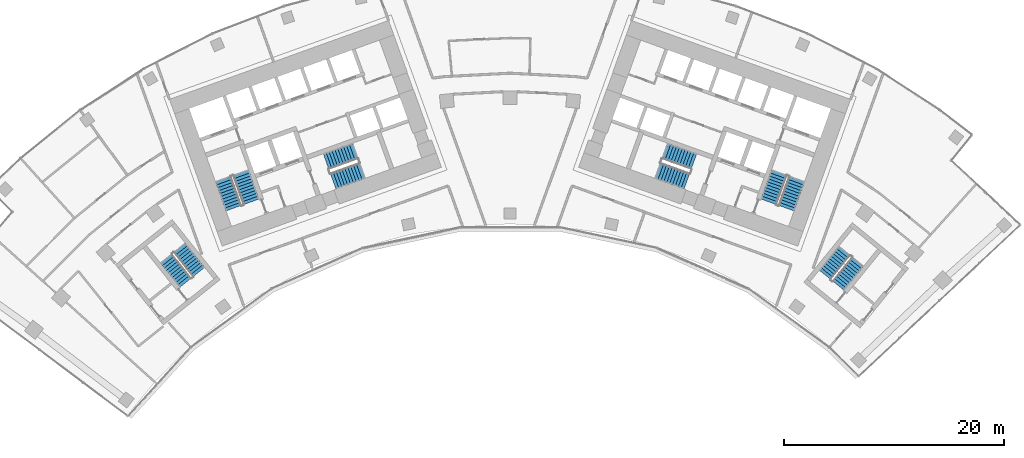
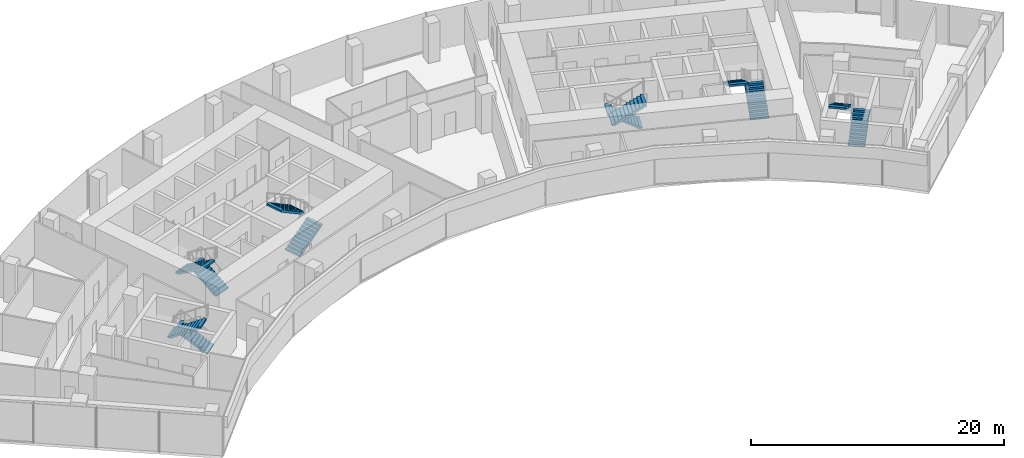
# One storey, part 18 of 20: 12 stair flights, 6 elements without a shape of their own.
"""IFC4 building model written with IfcOpenShell, lengths in metres."""

import ifcopenshell
import ifcopenshell.guid

model = None  # the IFC model being written
_history = None  # IfcOwnerHistory: only IFC2X3 demands one
_inside = {}  # id of a spatial element -> (the spatial element, [elements in it])
_under = {}  # id of a project, library or spatial element -> (it, [spatial elements below it])
_declared = {}  # id of a project -> (the project, [libraries it declares])
_typed = {}  # id of a type object -> (the type object, [elements of that type])
_made_of = {}  # id of a material, layer set ... -> (it, [elements and type objects made of it])


def new_model(schema):
    """Start an empty IFC model of exactly this schema.

    Asked for "IFC4X3", IfcOpenShell would pick the latest addendum, in which some entities
    have other attributes; the version numbers below select the first issue.
    IFC2X3 requires an IfcOwnerHistory on every rooted entity: one is made here for all.
    """
    global model, _history
    if schema == "IFC4X3":
        model = ifcopenshell.file(schema_version=(4, 3, 0, 0))
    else:
        model = ifcopenshell.file(schema=schema)
    _inside.clear()
    _under.clear()
    _declared.clear()
    _typed.clear()
    _made_of.clear()
    _history = None
    if model.schema == "IFC2X3":
        org = make("IfcOrganization", Name="unknown")
        user = make(
            "IfcPersonAndOrganization",
            ThePerson=make("IfcPerson", FamilyName="unknown"),
            TheOrganization=org,
        )
        app = make(
            "IfcApplication",
            ApplicationDeveloper=org,
            Version="unknown",
            ApplicationFullName="unknown",
            ApplicationIdentifier="unknown",
        )
        _history = make(
            "IfcOwnerHistory",
            OwningUser=user,
            OwningApplication=app,
            ChangeAction="ADDED",
            CreationDate=0,
        )
    return model


def make(cls, **values):
    """One entity of the class cls with the attributes given. An attribute that is None is left unset."""
    return model.create_entity(
        cls, **{name: value for name, value in values.items() if value is not None}
    )


def rooted(cls, **values):
    """An entity with a GlobalId (a new one), such as an element, a storey or a relation."""
    return make(cls, GlobalId=ifcopenshell.guid.new(), OwnerHistory=_history, **values)


def si_unit(unit_type, name, prefix=None):
    """IfcSIUnit, for example si_unit("LENGTHUNIT", "METRE", prefix="MILLI")."""
    return make("IfcSIUnit", UnitType=unit_type, Prefix=prefix, Name=name)


def assignment(units):
    """IfcUnitAssignment: the units of a project."""
    return None if units is None else make("IfcUnitAssignment", Units=units)


def point(xyz):
    """IfcCartesianPoint."""
    return None if xyz is None else make("IfcCartesianPoint", Coordinates=xyz)


def direction(xyz):
    """IfcDirection."""
    return None if xyz is None else make("IfcDirection", DirectionRatios=xyz)


def frame(location, z_axis=None, x_axis=None):
    """IfcAxis2Placement3D, a coordinate frame: its origin and axes. An axis left out is left unset."""
    return make(
        "IfcAxis2Placement3D",
        Location=point(location),
        Axis=direction(z_axis),
        RefDirection=direction(x_axis),
    )


def origin():
    """The frame at (0, 0, 0) with its axes left unset."""
    return frame((0.0, 0.0, 0.0))


def place(relative_to, where):
    """IfcLocalPlacement: puts the frame where relative to a parent placement (None: the world)."""
    return make(
        "IfcLocalPlacement", PlacementRelTo=relative_to, RelativePlacement=where
    )


def context(
    kind, dimensions, precision=None, world=None, true_north=None, identifier=None
):
    """IfcGeometricRepresentationContext, for example the 3D "Model" context."""
    return make(
        "IfcGeometricRepresentationContext",
        ContextIdentifier=identifier,
        ContextType=kind,
        CoordinateSpaceDimension=dimensions,
        Precision=precision,
        WorldCoordinateSystem=world,
        TrueNorth=true_north,
    )


def subcontext(parent, identifier, kind, view, scale=None):
    """IfcGeometricRepresentationSubContext, for example "Body" below "Model"."""
    return make(
        "IfcGeometricRepresentationSubContext",
        ContextIdentifier=identifier,
        ContextType=kind,
        ParentContext=parent,
        TargetScale=scale,
        TargetView=view,
    )


def project(units=None, contexts=None):
    """IfcProject with its units and contexts."""
    return rooted(
        "IfcProject",
        Name="project",
        RepresentationContexts=contexts,
        UnitsInContext=assignment(units),
    )


def spatial(cls, under=None, at=None, **own):
    """A site, building, storey or space (cls), placed at a placement, below another one or the project."""
    s = rooted(cls, ObjectPlacement=at, **own)
    if under is not None:
        _under.setdefault(under.id(), (under, []))[1].append(s)
    return s


def polyline(points):
    """IfcPolyline through the points."""
    return make("IfcPolyline", Points=[point(p) for p in points])


def outline(outer, holes=None, kind="AREA"):
    """IfcArbitraryClosedProfileDef: a profile drawn as a closed curve; with holes, ...WithVoids."""
    if holes is None:
        return make("IfcArbitraryClosedProfileDef", ProfileType=kind, OuterCurve=outer)
    return make(
        "IfcArbitraryProfileDefWithVoids",
        ProfileType=kind,
        OuterCurve=outer,
        InnerCurves=holes,
    )


def extrude(swept, where, along, depth):
    """IfcExtrudedAreaSolid: the profile swept, set in the frame where, extruded along a direction by depth."""
    return make(
        "IfcExtrudedAreaSolid",
        SweptArea=swept,
        Position=where,
        ExtrudedDirection=direction(along),
        Depth=depth,
    )


def shape(context_of_items, identifier, shape_type, items):
    """IfcShapeRepresentation: the items that make up one representation, for example the "Body"."""
    return make(
        "IfcShapeRepresentation",
        ContextOfItems=context_of_items,
        RepresentationIdentifier=identifier,
        RepresentationType=shape_type,
        Items=items,
    )


def material(Name=None, Category=None):
    """IfcMaterial."""
    return make("IfcMaterial", Name=Name, Category=Category)


def made_of(thing, what):
    """Note that an element or type object is made of a material, layer set ...; save() writes the relation."""
    if what is not None:
        _made_of.setdefault(what.id(), (what, []))[1].append(thing)
    return thing


def type_object(cls, material=None, **own):
    """A type object (cls), such as IfcWallType, which elements share."""
    return made_of(rooted(cls, **own), material)


def element(
    cls,
    number,
    at=None,
    inside=None,
    cuts=None,
    type_object=None,
    material=None,
    context=None,
    identifier="Body",
    shape_type=None,
    held_by="IfcProductDefinitionShape",
    body=None,
    shapes=None,
    **own,
):
    """One element of the class cls, such as IfcWall. Its Tag is "e" and its number.

    at: its placement. inside: the storey or other place that contains it. cuts: it is an
    opening in that element (IfcRelVoidsElement). A single representation is given by context,
    identifier, shape_type and body (its items); several are given by shapes. held_by: the class
    of the entity that holds the representations. save() writes the other relations.
    """
    e = rooted(cls, Tag="e%d" % number, ObjectPlacement=at, **own)
    if body is not None:
        shapes = [shape(context, identifier, shape_type, body)]
    if shapes is not None:
        e.Representation = make(held_by, Representations=shapes)
    if inside is not None:
        _inside.setdefault(inside.id(), (inside, []))[1].append(e)
    if cuts is not None:
        rooted(
            "IfcRelVoidsElement", RelatingBuildingElement=cuts, RelatedOpeningElement=e
        )
    if type_object is not None:
        _typed.setdefault(type_object.id(), (type_object, []))[1].append(e)
    return made_of(e, material)


def aggregate(whole, parts):
    """IfcRelAggregates: a whole, such as a stair, and the parts it consists of."""
    return rooted("IfcRelAggregates", RelatingObject=whole, RelatedObjects=parts)


def save(model, path):
    """Write the relations noted so far, then the file.

    IfcRelAggregates (storeys below a building ...), IfcRelContainedInSpatialStructure (elements
    in a storey), IfcRelDefinesByType, IfcRelAssociatesMaterial and IfcRelDeclares: one each for
    every whole, place, type object, material and project.
    """
    for whole, parts in _under.values():
        aggregate(whole, parts)
    for where, things in _inside.values():
        rooted(
            "IfcRelContainedInSpatialStructure",
            RelatedElements=things,
            RelatingStructure=where,
        )
    for kind, things in _typed.values():
        rooted("IfcRelDefinesByType", RelatedObjects=things, RelatingType=kind)
    for what, things in _made_of.values():
        rooted("IfcRelAssociatesMaterial", RelatedObjects=things, RelatingMaterial=what)
    for by, libraries in _declared.values():
        rooted("IfcRelDeclares", RelatingContext=by, RelatedDefinitions=libraries)
    model.write(path)


model = new_model("IFC4")

# Units and contexts
model_context = context("Model", 3, precision=1e-05, world=origin(), true_north=direction((0.0, 1.0)))
body_context = subcontext(model_context, "Body", "Model", "MODEL_VIEW")
ifc_project = project(units=[si_unit("LENGTHUNIT", "METRE"), si_unit("AREAUNIT", "SQUARE_METRE"), si_unit("VOLUMEUNIT", "CUBIC_METRE"), si_unit("PLANEANGLEUNIT", "RADIAN"), si_unit("MASSUNIT", "GRAM", prefix="KILO")], contexts=[model_context])

# Site, building, storey
site_placement = place(None, origin())
site = spatial("IfcSite", under=ifc_project, at=site_placement, CompositionType="ELEMENT")
building_placement = place(site_placement, origin())
building = spatial("IfcBuilding", under=site, at=building_placement, Name="Stone Belt Terrace Tower", CompositionType="ELEMENT")
storey_placement = place(building_placement, frame((0.0, 0.0, 185.800048828125)))
storey = spatial("IfcBuildingStorey", under=building, at=storey_placement, Name="L45", CompositionType="ELEMENT", Elevation=185.800048828125)

# Stair, stair flights
ifc_material = material(Name="Concrete B40", Category="concrete")
stair_type = type_object("IfcStairType", Name="Exit stair 1500", PredefinedType="HALF_TURN_STAIR", material=ifc_material)
stair_1_placement = place(storey_placement, origin())
stair_1 = element("IfcStair", 1, at=stair_1_placement, inside=storey, type_object=stair_type, Name="L45 Exit stair 1 core A", PredefinedType="HALF_TURN_STAIR")
stair_flight_type = type_object("IfcStairFlightType", Name="Stair flight 1500", PredefinedType="STRAIGHT", material=ifc_material)
stair_flight_1_placement = place(storey_placement, frame((-23.55322265625, 45.51318359375, 0.0), z_axis=(0.0, 0.0, 1.0), x_axis=(-0.338624396177, 0.940921632398, 0.0)))
stair_flight_1 = element("IfcStairFlight", 2, at=stair_flight_1_placement, type_object=stair_flight_type, Name="ST1A flight 1", NumberOfRisers=11, NumberOfTreads=10, PredefinedType="STRAIGHT", RiserHeight=0.172727273, TreadLength=0.28, context=body_context, shape_type="SweptSolid", body=[
    extrude(outline(polyline([(0.0, 0.0), (0.0, 0.172607421875), (0.280029296875, 0.172607421875), (0.280029296875, 0.345458984375), (0.56005859375, 0.345458984375), (0.56005859375, 0.51806640625), (0.840087890625, 0.51806640625), (0.840087890625, 0.69091796875), (1.1201171875, 0.69091796875), (1.1201171875, 0.863525390625), (1.39990234375, 0.863525390625), (1.39990234375, 1.036376953125), (1.679931640625, 1.036376953125), (1.679931640625, 1.208984375), (1.9599609375, 1.208984375), (1.9599609375, 1.3818359375), (2.239990234375, 1.3818359375), (2.239990234375, 1.554443359375), (2.52001953125, 1.554443359375), (2.52001953125, 1.727294921875), (2.800048828125, 1.727294921875), (2.800048828125, 1.89990234375), (2.800048828125, 1.551025390625), (0.285400390625, 0.0), (0.0, 0.0)])), frame((0.0, 0.75, 0.0), z_axis=(0.0, -1.0, 0.0), x_axis=(1.0, 0.0, 0.0)), (0.0, 0.0, 1.0), 1.5),
])
stair_flight_2_placement = place(storey_placement, frame((-26.10107421875, 47.572021484375, 1.89990234375), z_axis=(0.0, 0.0, 1.0), x_axis=(0.338624396177, -0.940921632398, 0.0)))
stair_flight_2 = element("IfcStairFlight", 3, at=stair_flight_2_placement, type_object=stair_flight_type, Name="ST1A flight 2", NumberOfRisers=11, NumberOfTreads=10, PredefinedType="STRAIGHT", RiserHeight=0.172727273, TreadLength=0.28, context=body_context, shape_type="SweptSolid", body=[
    extrude(outline(polyline([(0.0, 0.0), (0.0, 0.172607421875), (0.280029296875, 0.172607421875), (0.280029296875, 0.345458984375), (0.56005859375, 0.345458984375), (0.56005859375, 0.51806640625), (0.840087890625, 0.51806640625), (0.840087890625, 0.69091796875), (1.1201171875, 0.69091796875), (1.1201171875, 0.863525390625), (1.39990234375, 0.863525390625), (1.39990234375, 1.036376953125), (1.679931640625, 1.036376953125), (1.679931640625, 1.208984375), (1.9599609375, 1.208984375), (1.9599609375, 1.3818359375), (2.239990234375, 1.3818359375), (2.239990234375, 1.554443359375), (2.52001953125, 1.554443359375), (2.52001953125, 1.727294921875), (2.800048828125, 1.727294921875), (2.800048828125, 1.89990234375), (2.800048828125, 1.551025390625), (0.285400390625, 0.0), (0.0, 0.0)])), frame((0.0, 0.75, 0.0), z_axis=(0.0, -1.0, 0.0), x_axis=(1.0, 0.0, 0.0)), (0.0, 0.0, 1.0), 1.5),
])
aggregate(stair_1, [stair_flight_1, stair_flight_2])

stair_2_placement = place(storey_placement, origin())
stair_2 = element("IfcStair", 4, at=stair_2_placement, inside=storey, type_object=stair_type, Name="L45 Exit stair 2 core A", PredefinedType="HALF_TURN_STAIR")
stair_flight_3_placement = place(storey_placement, frame((-16.101318359375, 47.39794921875, 0.0), z_axis=(0.0, 0.0, 1.0), x_axis=(0.940921632398, 0.338624396177, 0.0)))
stair_flight_3 = element("IfcStairFlight", 5, at=stair_flight_3_placement, type_object=stair_flight_type, Name="ST2A flight 1", NumberOfRisers=11, NumberOfTreads=10, PredefinedType="STRAIGHT", RiserHeight=0.172727273, TreadLength=0.28, context=body_context, shape_type="SweptSolid", body=[
    extrude(outline(polyline([(0.0, 0.0), (0.0, 0.172607421875), (0.280029296875, 0.172607421875), (0.280029296875, 0.345458984375), (0.56005859375, 0.345458984375), (0.56005859375, 0.51806640625), (0.840087890625, 0.51806640625), (0.840087890625, 0.69091796875), (1.1201171875, 0.69091796875), (1.1201171875, 0.863525390625), (1.39990234375, 0.863525390625), (1.39990234375, 1.036376953125), (1.679931640625, 1.036376953125), (1.679931640625, 1.208984375), (1.9599609375, 1.208984375), (1.9599609375, 1.3818359375), (2.239990234375, 1.3818359375), (2.239990234375, 1.554443359375), (2.52001953125, 1.554443359375), (2.52001953125, 1.727294921875), (2.800048828125, 1.727294921875), (2.800048828125, 1.89990234375), (2.800048828125, 1.551025390625), (0.285400390625, 0.0), (0.0, 0.0)])), frame((0.0, 0.75, 0.0), z_axis=(0.0, -1.0, 0.0), x_axis=(1.0, 0.0, 0.0)), (0.0, 0.0, 1.0), 1.5),
])
stair_flight_4_placement = place(storey_placement, frame((-14.110107421875, 50.1337890625, 1.89990234375), z_axis=(0.0, 0.0, 1.0), x_axis=(-0.940921632398, -0.338624396177, 0.0)))
stair_flight_4 = element("IfcStairFlight", 6, at=stair_flight_4_placement, type_object=stair_flight_type, Name="ST2A flight 2", NumberOfRisers=11, NumberOfTreads=10, PredefinedType="STRAIGHT", RiserHeight=0.172727273, TreadLength=0.28, context=body_context, shape_type="SweptSolid", body=[
    extrude(outline(polyline([(0.0, 0.0), (0.0, 0.172607421875), (0.280029296875, 0.172607421875), (0.280029296875, 0.345458984375), (0.56005859375, 0.345458984375), (0.56005859375, 0.51806640625), (0.840087890625, 0.51806640625), (0.840087890625, 0.69091796875), (1.1201171875, 0.69091796875), (1.1201171875, 0.863525390625), (1.39990234375, 0.863525390625), (1.39990234375, 1.036376953125), (1.679931640625, 1.036376953125), (1.679931640625, 1.208984375), (1.9599609375, 1.208984375), (1.9599609375, 1.3818359375), (2.239990234375, 1.3818359375), (2.239990234375, 1.554443359375), (2.52001953125, 1.554443359375), (2.52001953125, 1.727294921875), (2.800048828125, 1.727294921875), (2.800048828125, 1.89990234375), (2.800048828125, 1.551025390625), (0.285400390625, 0.0), (0.0, 0.0)])), frame((0.0, 0.75, 0.0), z_axis=(0.0, -1.0, 0.0), x_axis=(1.0, 0.0, 0.0)), (0.0, 0.0, 1.0), 1.5),
])
aggregate(stair_2, [stair_flight_3, stair_flight_4])

stair_3_placement = place(storey_placement, origin())
stair_3 = element("IfcStair", 7, at=stair_3_placement, inside=storey, type_object=stair_type, Name="L45 Exit stair 1 core B", PredefinedType="HALF_TURN_STAIR")
stair_flight_5_placement = place(storey_placement, frame((25.15283203125, 44.9375, 0.0), z_axis=(0.0, 0.0, 1.0), x_axis=(0.338624396177, 0.940921632398, 0.0)))
stair_flight_5 = element("IfcStairFlight", 8, at=stair_flight_5_placement, type_object=stair_flight_type, Name="ST1B flight 1", NumberOfRisers=11, NumberOfTreads=10, PredefinedType="STRAIGHT", RiserHeight=0.172727273, TreadLength=0.28, context=body_context, shape_type="SweptSolid", body=[
    extrude(outline(polyline([(0.0, 0.0), (0.0, 0.172607421875), (0.280029296875, 0.172607421875), (0.280029296875, 0.345458984375), (0.56005859375, 0.345458984375), (0.56005859375, 0.51806640625), (0.840087890625, 0.51806640625), (0.840087890625, 0.69091796875), (1.1201171875, 0.69091796875), (1.1201171875, 0.863525390625), (1.39990234375, 0.863525390625), (1.39990234375, 1.036376953125), (1.679931640625, 1.036376953125), (1.679931640625, 1.208984375), (1.9599609375, 1.208984375), (1.9599609375, 1.3818359375), (2.239990234375, 1.3818359375), (2.239990234375, 1.554443359375), (2.52001953125, 1.554443359375), (2.52001953125, 1.727294921875), (2.800048828125, 1.727294921875), (2.800048828125, 1.89990234375), (2.800048828125, 1.551025390625), (0.285400390625, 0.0), (0.0, 0.0)])), frame((0.0, 0.75, 0.0), z_axis=(0.0, -1.0, 0.0), x_axis=(1.0, 0.0, 0.0)), (0.0, 0.0, 1.0), 1.5),
])
stair_flight_6_placement = place(storey_placement, frame((24.50146484375, 48.147705078125, 1.89990234375), z_axis=(0.0, 0.0, 1.0), x_axis=(-0.338624396177, -0.940921632398, 0.0)))
stair_flight_6 = element("IfcStairFlight", 9, at=stair_flight_6_placement, type_object=stair_flight_type, Name="ST1B flight 2", NumberOfRisers=11, NumberOfTreads=10, PredefinedType="STRAIGHT", RiserHeight=0.172727273, TreadLength=0.28, context=body_context, shape_type="SweptSolid", body=[
    extrude(outline(polyline([(0.0, 0.0), (0.0, 0.172607421875), (0.280029296875, 0.172607421875), (0.280029296875, 0.345458984375), (0.56005859375, 0.345458984375), (0.56005859375, 0.51806640625), (0.840087890625, 0.51806640625), (0.840087890625, 0.69091796875), (1.1201171875, 0.69091796875), (1.1201171875, 0.863525390625), (1.39990234375, 0.863525390625), (1.39990234375, 1.036376953125), (1.679931640625, 1.036376953125), (1.679931640625, 1.208984375), (1.9599609375, 1.208984375), (1.9599609375, 1.3818359375), (2.239990234375, 1.3818359375), (2.239990234375, 1.554443359375), (2.52001953125, 1.554443359375), (2.52001953125, 1.727294921875), (2.800048828125, 1.727294921875), (2.800048828125, 1.89990234375), (2.800048828125, 1.551025390625), (0.285400390625, 0.0), (0.0, 0.0)])), frame((0.0, 0.75, 0.0), z_axis=(0.0, -1.0, 0.0), x_axis=(1.0, 0.0, 0.0)), (0.0, 0.0, 1.0), 1.5),
])
aggregate(stair_3, [stair_flight_5, stair_flight_6])

stair_4_placement = place(storey_placement, origin())
stair_4 = element("IfcStair", 10, at=stair_4_placement, inside=storey, type_object=stair_type, Name="L45 Exit stair 2 core B", PredefinedType="HALF_TURN_STAIR")
stair_flight_7_placement = place(storey_placement, frame((16.74462890625, 49.185546875, 0.0), z_axis=(0.0, 0.0, 1.0), x_axis=(-0.940921632398, 0.338624396177, 0.0)))
stair_flight_7 = element("IfcStairFlight", 11, at=stair_flight_7_placement, type_object=stair_flight_type, Name="ST2B flight 1", NumberOfRisers=11, NumberOfTreads=10, PredefinedType="STRAIGHT", RiserHeight=0.172727273, TreadLength=0.28, context=body_context, shape_type="SweptSolid", body=[
    extrude(outline(polyline([(0.0, 0.0), (0.0, 0.172607421875), (0.280029296875, 0.172607421875), (0.280029296875, 0.345458984375), (0.56005859375, 0.345458984375), (0.56005859375, 0.51806640625), (0.840087890625, 0.51806640625), (0.840087890625, 0.69091796875), (1.1201171875, 0.69091796875), (1.1201171875, 0.863525390625), (1.39990234375, 0.863525390625), (1.39990234375, 1.036376953125), (1.679931640625, 1.036376953125), (1.679931640625, 1.208984375), (1.9599609375, 1.208984375), (1.9599609375, 1.3818359375), (2.239990234375, 1.3818359375), (2.239990234375, 1.554443359375), (2.52001953125, 1.554443359375), (2.52001953125, 1.727294921875), (2.800048828125, 1.727294921875), (2.800048828125, 1.89990234375), (2.800048828125, 1.551025390625), (0.285400390625, 0.0), (0.0, 0.0)])), frame((0.0, 0.75, 0.0), z_axis=(0.0, -1.0, 0.0), x_axis=(1.0, 0.0, 0.0)), (0.0, 0.0, 1.0), 1.5),
])
stair_flight_8_placement = place(storey_placement, frame((13.466796875, 48.345947265625, 1.89990234375), z_axis=(0.0, 0.0, 1.0), x_axis=(0.940921632398, -0.338624396177, 0.0)))
stair_flight_8 = element("IfcStairFlight", 12, at=stair_flight_8_placement, type_object=stair_flight_type, Name="ST2B flight 2", NumberOfRisers=11, NumberOfTreads=10, PredefinedType="STRAIGHT", RiserHeight=0.172727273, TreadLength=0.28, context=body_context, shape_type="SweptSolid", body=[
    extrude(outline(polyline([(0.0, 0.0), (0.0, 0.172607421875), (0.280029296875, 0.172607421875), (0.280029296875, 0.345458984375), (0.56005859375, 0.345458984375), (0.56005859375, 0.51806640625), (0.840087890625, 0.51806640625), (0.840087890625, 0.69091796875), (1.1201171875, 0.69091796875), (1.1201171875, 0.863525390625), (1.39990234375, 0.863525390625), (1.39990234375, 1.036376953125), (1.679931640625, 1.036376953125), (1.679931640625, 1.208984375), (1.9599609375, 1.208984375), (1.9599609375, 1.3818359375), (2.239990234375, 1.3818359375), (2.239990234375, 1.554443359375), (2.52001953125, 1.554443359375), (2.52001953125, 1.727294921875), (2.800048828125, 1.727294921875), (2.800048828125, 1.89990234375), (2.800048828125, 1.551025390625), (0.285400390625, 0.0), (0.0, 0.0)])), frame((0.0, 0.75, 0.0), z_axis=(0.0, -1.0, 0.0), x_axis=(1.0, 0.0, 0.0)), (0.0, 0.0, 1.0), 1.5),
])
aggregate(stair_4, [stair_flight_7, stair_flight_8])

stair_5_placement = place(storey_placement, origin())
stair_5 = element("IfcStair", 13, at=stair_5_placement, inside=storey, type_object=stair_type, Name="L45 Exit stair 3A", PredefinedType="HALF_TURN_STAIR")
stair_flight_9_placement = place(storey_placement, frame((-28.325439453125, 39.1240234375, 0.0), z_axis=(0.0, 0.0, 1.0), x_axis=(-0.623121363691, 0.782125160132, 0.0)))
stair_flight_9 = element("IfcStairFlight", 14, at=stair_flight_9_placement, type_object=stair_flight_type, Name="ST3A flight 1", NumberOfRisers=11, NumberOfTreads=10, PredefinedType="STRAIGHT", RiserHeight=0.172727273, TreadLength=0.28, context=body_context, shape_type="SweptSolid", body=[
    extrude(outline(polyline([(0.0, 0.0), (0.0, 0.172607421875), (0.280029296875, 0.172607421875), (0.280029296875, 0.345458984375), (0.56005859375, 0.345458984375), (0.56005859375, 0.51806640625), (0.840087890625, 0.51806640625), (0.840087890625, 0.69091796875), (1.1201171875, 0.69091796875), (1.1201171875, 0.863525390625), (1.39990234375, 0.863525390625), (1.39990234375, 1.036376953125), (1.679931640625, 1.036376953125), (1.679931640625, 1.208984375), (1.9599609375, 1.208984375), (1.9599609375, 1.3818359375), (2.239990234375, 1.3818359375), (2.239990234375, 1.554443359375), (2.52001953125, 1.554443359375), (2.52001953125, 1.727294921875), (2.800048828125, 1.727294921875), (2.800048828125, 1.89990234375), (2.800048828125, 1.551025390625), (0.285400390625, 0.0), (0.0, 0.0)])), frame((0.0, 0.675048828125, 0.0), z_axis=(0.0, -1.0, 0.0), x_axis=(1.0, 0.0, 0.0)), (0.0, 0.0, 1.0), 1.35009765625),
])
stair_flight_10_placement = place(storey_placement, frame((-31.282470703125, 40.34814453125, 1.89990234375), z_axis=(0.0, 0.0, 1.0), x_axis=(0.623121363691, -0.782125160132, 0.0)))
stair_flight_10 = element("IfcStairFlight", 15, at=stair_flight_10_placement, type_object=stair_flight_type, Name="ST3A flight 2", NumberOfRisers=11, NumberOfTreads=10, PredefinedType="STRAIGHT", RiserHeight=0.172727273, TreadLength=0.28, context=body_context, shape_type="SweptSolid", body=[
    extrude(outline(polyline([(0.0, 0.0), (0.0, 0.172607421875), (0.280029296875, 0.172607421875), (0.280029296875, 0.345458984375), (0.56005859375, 0.345458984375), (0.56005859375, 0.51806640625), (0.840087890625, 0.51806640625), (0.840087890625, 0.69091796875), (1.1201171875, 0.69091796875), (1.1201171875, 0.863525390625), (1.39990234375, 0.863525390625), (1.39990234375, 1.036376953125), (1.679931640625, 1.036376953125), (1.679931640625, 1.208984375), (1.9599609375, 1.208984375), (1.9599609375, 1.3818359375), (2.239990234375, 1.3818359375), (2.239990234375, 1.554443359375), (2.52001953125, 1.554443359375), (2.52001953125, 1.727294921875), (2.800048828125, 1.727294921875), (2.800048828125, 1.89990234375), (2.800048828125, 1.551025390625), (0.285400390625, 0.0), (0.0, 0.0)])), frame((0.0, 0.675048828125, 0.0), z_axis=(0.0, -1.0, 0.0), x_axis=(1.0, 0.0, 0.0)), (0.0, 0.0, 1.0), 1.35009765625),
])
aggregate(stair_5, [stair_flight_9, stair_flight_10])

stair_6_placement = place(storey_placement, origin())
stair_6 = element("IfcStair", 16, at=stair_6_placement, inside=storey, type_object=stair_type, Name="L45 Exit stair 3B", PredefinedType="HALF_TURN_STAIR")
stair_flight_11_placement = place(storey_placement, frame((29.88330078125, 37.887939453125, 0.0), z_axis=(0.0, 0.0, 1.0), x_axis=(0.630205749599, 0.776428176441, 0.0)))
stair_flight_11 = element("IfcStairFlight", 17, at=stair_flight_11_placement, type_object=stair_flight_type, Name="ST3B flight 1", NumberOfRisers=11, NumberOfTreads=10, PredefinedType="STRAIGHT", RiserHeight=0.172727273, TreadLength=0.28, context=body_context, shape_type="SweptSolid", body=[
    extrude(outline(polyline([(0.0, 0.0), (0.0, 0.172607421875), (0.280029296875, 0.172607421875), (0.280029296875, 0.345458984375), (0.56005859375, 0.345458984375), (0.56005859375, 0.51806640625), (0.840087890625, 0.51806640625), (0.840087890625, 0.69091796875), (1.1201171875, 0.69091796875), (1.1201171875, 0.863525390625), (1.39990234375, 0.863525390625), (1.39990234375, 1.036376953125), (1.679931640625, 1.036376953125), (1.679931640625, 1.208984375), (1.9599609375, 1.208984375), (1.9599609375, 1.3818359375), (2.239990234375, 1.3818359375), (2.239990234375, 1.554443359375), (2.52001953125, 1.554443359375), (2.52001953125, 1.727294921875), (2.800048828125, 1.727294921875), (2.800048828125, 1.89990234375), (2.800048828125, 1.551025390625), (0.285400390625, 0.0), (0.0, 0.0)])), frame((0.0, 0.675048828125, 0.0), z_axis=(0.0, -1.0, 0.0), x_axis=(1.0, 0.0, 0.0)), (0.0, 0.0, 1.0), 1.35009765625),
])
stair_flight_12_placement = place(storey_placement, frame((30.4443359375, 41.038818359375, 1.89990234375), z_axis=(0.0, 0.0, 1.0), x_axis=(-0.630205749599, -0.776428176441, 0.0)))
stair_flight_12 = element("IfcStairFlight", 18, at=stair_flight_12_placement, type_object=stair_flight_type, Name="ST3B flight 2", NumberOfRisers=11, NumberOfTreads=10, PredefinedType="STRAIGHT", RiserHeight=0.172727273, TreadLength=0.28, context=body_context, shape_type="SweptSolid", body=[
    extrude(outline(polyline([(0.0, 0.0), (0.0, 0.172607421875), (0.280029296875, 0.172607421875), (0.280029296875, 0.345458984375), (0.56005859375, 0.345458984375), (0.56005859375, 0.51806640625), (0.840087890625, 0.51806640625), (0.840087890625, 0.69091796875), (1.1201171875, 0.69091796875), (1.1201171875, 0.863525390625), (1.39990234375, 0.863525390625), (1.39990234375, 1.036376953125), (1.679931640625, 1.036376953125), (1.679931640625, 1.208984375), (1.9599609375, 1.208984375), (1.9599609375, 1.3818359375), (2.239990234375, 1.3818359375), (2.239990234375, 1.554443359375), (2.52001953125, 1.554443359375), (2.52001953125, 1.727294921875), (2.800048828125, 1.727294921875), (2.800048828125, 1.89990234375), (2.800048828125, 1.551025390625), (0.285400390625, 0.0), (0.0, 0.0)])), frame((0.0, 0.675048828125, 0.0), z_axis=(0.0, -1.0, 0.0), x_axis=(1.0, 0.0, 0.0)), (0.0, 0.0, 1.0), 1.35009765625),
])
aggregate(stair_6, [stair_flight_11, stair_flight_12])

save(model, "model.ifc")
